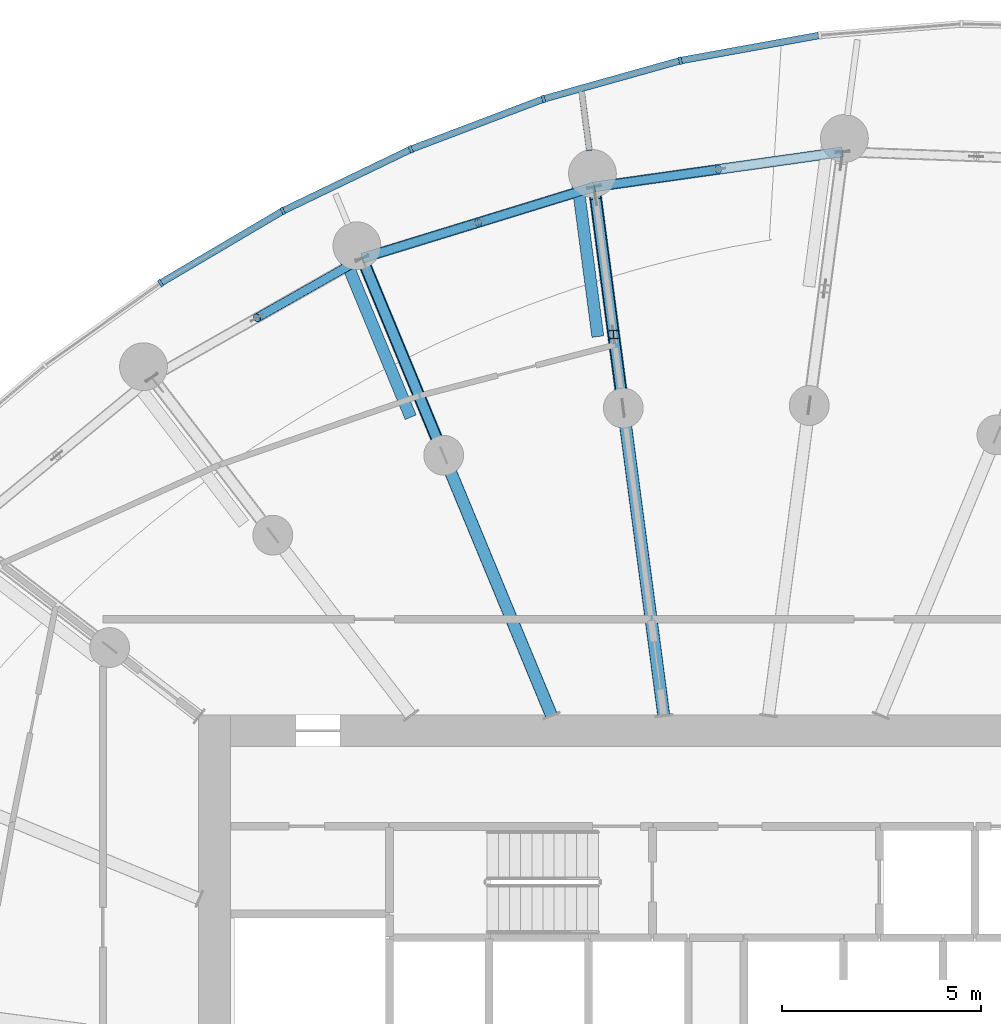
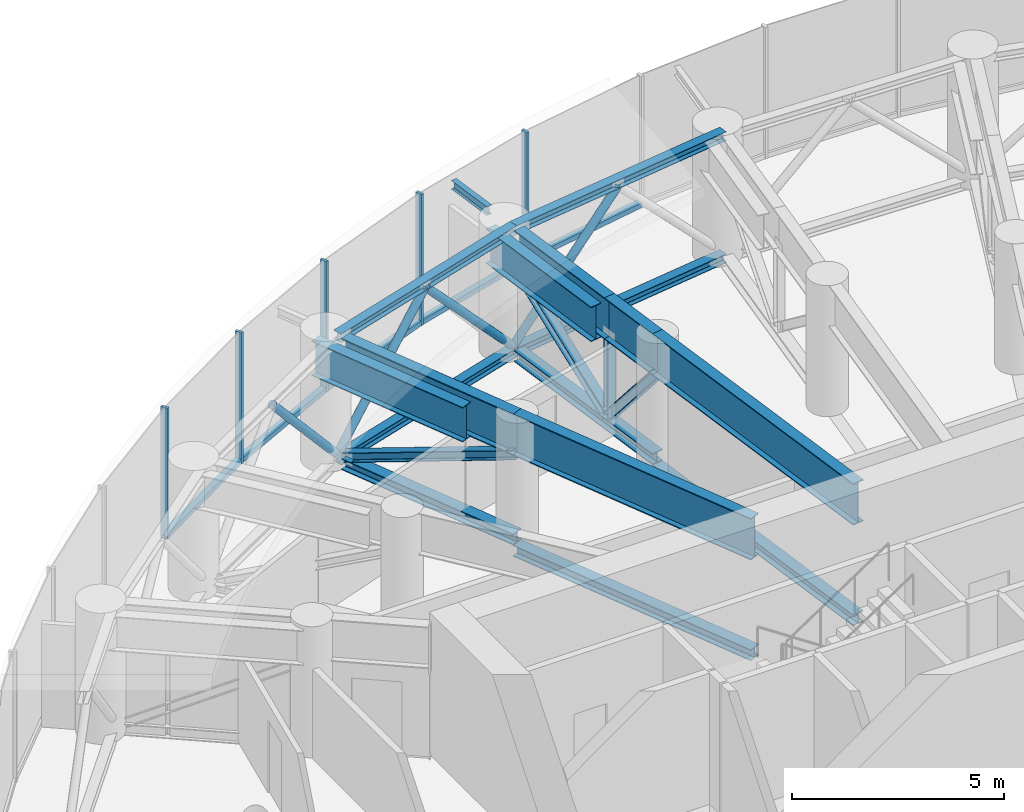
# One storey, part 9 of 33: 26 members, 8 beams, 2 elements without a shape of their own.
"""IFC4 building model written with IfcOpenShell, lengths in metres."""

from ifc_helpers import new_model, si_unit, direction, frame, origin, origin_2d, place, context, subcontext, project, spatial, rectangle, hollow_circle, i_section, extrude, source, transform, mapped, material, layer, layer_set, material_profile, profile_set, type_object, element, aggregate, save


model = new_model("IFC4")

# Units and contexts
model_context = context("Model", 3, precision=1e-05, world=origin(), true_north=direction((0.0, 1.0)))
body_context = subcontext(model_context, "Body", "Model", "MODEL_VIEW")
ifc_project = project(units=[si_unit("LENGTHUNIT", "METRE"), si_unit("AREAUNIT", "SQUARE_METRE"), si_unit("VOLUMEUNIT", "CUBIC_METRE"), si_unit("PLANEANGLEUNIT", "RADIAN"), si_unit("MASSUNIT", "GRAM", prefix="KILO")], contexts=[model_context])

# Site, building, storey
site_placement = place(None, origin())
site = spatial("IfcSite", under=ifc_project, at=site_placement, CompositionType="ELEMENT")
building_placement = place(site_placement, origin())
building = spatial("IfcBuilding", under=site, at=building_placement, Name="Spindrift Exchange Tower", CompositionType="ELEMENT")
storey_placement = place(building_placement, frame((0.0, 0.0, 129.0)))
storey = spatial("IfcBuildingStorey", under=building, at=storey_placement, Name="L30", CompositionType="ELEMENT", Elevation=129.0)

# Beams
ifc_material_1 = material(Name="Steel Grade 300", Category="steel")
ifc_material_profile_1 = material_profile(ifc_material_1, i_section(OverallWidth=0.14599609375, OverallDepth=0.251953125, WebThickness=0.006103515625, FlangeThickness=0.008544921875, FilletRadius=0.011962890625, at=origin_2d()), Name="250UB31.4")
ifc_profile_set_1 = profile_set([ifc_material_profile_1], Name="Steel Grade 300")
beam_type_1 = type_object("IfcBeamType", Name="Cantilever Beam 250UB31.4 Steel Grade 300", PredefinedType="BEAM", material=ifc_profile_set_1)
shared_shape_1 = source(origin(), body_context, "Body", "SweptSolid", [
    extrude(i_section(OverallWidth=0.14599609375, OverallDepth=0.251953125, WebThickness=0.006103515625, FlangeThickness=0.008544921875, FilletRadius=0.011962890625, at=origin_2d()), origin(), (0.0, 0.0, 1.0), 1.37744140625),
])
beam_1_placement = place(storey_placement, frame((48.81787109375, 72.17041015625, 3.654052734375), z_axis=(-0.130445343131, 0.991455502005, 0.0), x_axis=(-0.991455502005, -0.130445343131, 0.0)))
element("IfcBeam", 1, at=beam_1_placement, inside=storey, type_object=beam_type_1, Name="L30 cantilever beam R07T", PredefinedType="BEAM", context=body_context, shape_type="MappedRepresentation", body=[
    mapped(shared_shape_1, transform((0.0, 0.0, 0.0), scale=1.0)),
])
ifc_material_profile_2 = material_profile(ifc_material_1, i_section(OverallWidth=0.300048828125, OverallDepth=1.199951171875, WebThickness=0.011962890625, FlangeThickness=0.028076171875, at=origin_2d()), Name="1200WB249")
ifc_profile_set_2 = profile_set([ifc_material_profile_2], Name="Steel Grade 300")
beam_type_2 = type_object("IfcBeamType", Name="Outrigger Truss Transfer Girder 1200WB249 Steel Grade 300", PredefinedType="BEAM", material=ifc_profile_set_2)
shared_shape_2 = source(origin(), body_context, "Body", "SweptSolid", [
    extrude(i_section(OverallWidth=0.300048828125, OverallDepth=1.199951171875, WebThickness=0.011962890625, FlangeThickness=0.028076171875, at=origin_2d()), origin(), (0.0, 0.0, 1.0), 7.78955078125),
])
beam_2_placement = place(storey_placement, frame((50.68603515625, 57.980224609375, 3.179931640625), z_axis=(-0.130539641282, 0.991443090678, 0.0), x_axis=(-0.991443090678, -0.130539641282, 0.0)))
element("IfcBeam", 2, at=beam_2_placement, inside=storey, type_object=beam_type_2, Name="L30 outrigger truss 07 top chord 1", PredefinedType="BEAM", context=body_context, shape_type="MappedRepresentation", body=[
    mapped(shared_shape_2, transform((0.0, 0.0, 0.0), scale=1.0)),
])
shared_shape_3 = source(origin(), body_context, "Body", "SweptSolid", [
    extrude(i_section(OverallWidth=0.300048828125, OverallDepth=1.199951171875, WebThickness=0.011962890625, FlangeThickness=0.028076171875, at=origin_2d()), origin(), (0.0, 0.0, 1.0), 7.07470703125),
])
beam_3_placement = place(storey_placement, frame((47.865478515625, 57.9814453125, 3.179931640625), z_axis=(-0.382673844804, 0.923883503751, 0.0), x_axis=(-0.923883503751, -0.382673844804, 0.0)))
element("IfcBeam", 3, at=beam_3_placement, inside=storey, type_object=beam_type_2, Name="L30 outrigger truss 08 top chord 1", PredefinedType="BEAM", context=body_context, shape_type="MappedRepresentation", body=[
    mapped(shared_shape_3, transform((0.0, 0.0, 0.0), scale=1.0)),
])

# Members
ifc_material_profile_3 = material_profile(ifc_material_1, i_section(OverallWidth=0.202880859375, OverallDepth=0.202880859375, WebThickness=0.00732421875, FlangeThickness=0.010986328125, FilletRadius=0.012939453125, at=origin_2d()), Name="200UC46.2")
ifc_profile_set_3 = profile_set([ifc_material_profile_3], Name="Steel Grade 300")
member_type_1 = type_object("IfcMemberType", Name="Outrigger Truss Post 200UC46.2 Steel Grade 300", PredefinedType="POST", material=ifc_profile_set_3)
shared_shape_4 = source(origin(), body_context, "Body", "SweptSolid", [
    extrude(i_section(OverallWidth=0.202880859375, OverallDepth=0.202880859375, WebThickness=0.00732421875, FlangeThickness=0.010986328125, FilletRadius=0.012939453125, at=origin_2d()), origin(), (0.0, 0.0, 1.0), 2.259033203125),
])
member_1_placement = place(storey_placement, frame((49.426025390625, 67.55126953125, 0.321044921875), z_axis=(0.0, 0.0, 1.0), x_axis=(1.0, 0.0, 0.0)))
element("IfcMember", 4, at=member_1_placement, inside=storey, type_object=member_type_1, Name="L30 outrigger truss 07 post 2", PredefinedType="POST", context=body_context, shape_type="MappedRepresentation", body=[
    mapped(shared_shape_4, transform((0.0, 0.0, 0.0), scale=1.0)),
])
ifc_material_profile_4 = material_profile(ifc_material_1, i_section(OverallWidth=0.30908203125, OverallDepth=0.321044921875, WebThickness=0.013916015625, FlangeThickness=0.021728515625, FilletRadius=0.0166015625, at=origin_2d()), Name="310UC137")
ifc_profile_set_4 = profile_set([ifc_material_profile_4], Name="Steel Grade 300")
member_type_2 = type_object("IfcMemberType", Name="Outrigger Truss Chord 310UC137 Steel Grade 300", PredefinedType="CHORD", material=ifc_profile_set_4)
shared_shape_5 = source(origin(), body_context, "Body", "SweptSolid", [
    extrude(i_section(OverallWidth=0.30908203125, OverallDepth=0.321044921875, WebThickness=0.013916015625, FlangeThickness=0.021728515625, FilletRadius=0.0166015625, at=origin_2d()), origin(), (0.0, 0.0, 1.0), 7.78955078125),
])
member_2_placement = place(storey_placement, frame((50.68603515625, 57.980224609375, -0.160400390625), z_axis=(-0.130539641282, 0.991443090678, 0.0), x_axis=(-0.991443090678, -0.130539641282, 0.0)))
element("IfcMember", 5, at=member_2_placement, inside=storey, type_object=member_type_2, Name="L30 outrigger truss 07 bottom chord 1", PredefinedType="CHORD", context=body_context, shape_type="MappedRepresentation", body=[
    mapped(shared_shape_5, transform((0.0, 0.0, 0.0), scale=1.0)),
])

# Beam
shared_shape_6 = source(origin(), body_context, "Body", "SweptSolid", [
    extrude(i_section(OverallWidth=0.300048828125, OverallDepth=1.199951171875, WebThickness=0.011962890625, FlangeThickness=0.028076171875, at=origin_2d()), origin(), (0.0, 0.0, 1.0), 1.864013671875),
])
beam_4_placement = place(storey_placement, frame((49.669189453125, 65.703125, 3.179931640625), z_axis=(-0.130447736637, 0.991455187089, 0.0), x_axis=(-0.991455187089, -0.130447736637, 0.0)))
element("IfcBeam", 6, at=beam_4_placement, inside=storey, type_object=beam_type_2, Name="L30 outrigger truss 07 top chord 2", PredefinedType="BEAM", context=body_context, shape_type="MappedRepresentation", body=[
    mapped(shared_shape_6, transform((0.0, 0.0, 0.0), scale=1.0)),
])

# Members
shared_shape_7 = source(origin(), body_context, "Body", "SweptSolid", [
    extrude(i_section(OverallWidth=0.30908203125, OverallDepth=0.321044921875, WebThickness=0.013916015625, FlangeThickness=0.021728515625, FilletRadius=0.0166015625, at=origin_2d()), origin(), (0.0, 0.0, 1.0), 5.36328125),
])
member_3_placement = place(storey_placement, frame((49.669189453125, 65.703125, 0.160400390625), z_axis=(-0.130508678946, 0.991447166883, 0.0), x_axis=(-0.991447166883, -0.130508678946, 0.0)))
element("IfcMember", 7, at=member_3_placement, inside=storey, type_object=member_type_2, Name="L30 outrigger truss 07 bottom chord 2", PredefinedType="CHORD", context=body_context, shape_type="MappedRepresentation", body=[
    mapped(shared_shape_7, transform((0.0, 0.0, 0.0), scale=1.0)),
])
ifc_material_profile_5 = material_profile(ifc_material_1, i_section(OverallWidth=0.25390625, OverallDepth=0.25390625, WebThickness=0.008544921875, FlangeThickness=0.01416015625, FilletRadius=0.011962890625, at=origin_2d()), Name="250UC72.9")
ifc_profile_set_5 = profile_set([ifc_material_profile_5], Name="Steel Grade 300")
member_type_3 = type_object("IfcMemberType", Name="Outrigger Truss Diagonal 250UC72.9 Steel Grade 300", PredefinedType="BRACE", material=ifc_profile_set_5)
shared_shape_8 = source(origin(), body_context, "Body", "SweptSolid", [
    extrude(i_section(OverallWidth=0.25390625, OverallDepth=0.25390625, WebThickness=0.008544921875, FlangeThickness=0.01416015625, FilletRadius=0.011962890625, at=origin_2d()), origin(), (0.0, 0.0, 1.0), 2.9287109375),
])
member_4_placement = place(storey_placement, frame((49.669189453125, 65.703125, 2.580078125), z_axis=(-0.083024529012, 0.631019763673, -0.771311211792), x_axis=(-0.991455187089, -0.130447736637, 0.0)))
element("IfcMember", 8, at=member_4_placement, inside=storey, type_object=member_type_3, Name="L30 outrigger truss 07 diagonal 2", PredefinedType="BRACE", context=body_context, shape_type="MappedRepresentation", body=[
    mapped(shared_shape_8, transform((0.0, 0.0, 0.0), scale=1.0)),
])

# Beam
shared_shape_9 = source(origin(), body_context, "Body", "SweptSolid", [
    extrude(i_section(OverallWidth=0.300048828125, OverallDepth=1.199951171875, WebThickness=0.011962890625, FlangeThickness=0.028076171875, at=origin_2d()), origin(), (0.0, 0.0, 1.0), 3.499267578125),
])
beam_5_placement = place(storey_placement, frame((49.426025390625, 67.55126953125, 3.179931640625), z_axis=(-0.130541143739, 0.991442892854, 0.0), x_axis=(-0.991442892854, -0.130541143739, 0.0)))
element("IfcBeam", 9, at=beam_5_placement, inside=storey, type_object=beam_type_2, Name="L30 outrigger truss 07 top chord 3", PredefinedType="BEAM", context=body_context, shape_type="MappedRepresentation", body=[
    mapped(shared_shape_9, transform((0.0, 0.0, 0.0), scale=1.0)),
])

# Members
shared_shape_10 = source(origin(), body_context, "Body", "SweptSolid", [
    extrude(i_section(OverallWidth=0.25390625, OverallDepth=0.25390625, WebThickness=0.008544921875, FlangeThickness=0.01416015625, FilletRadius=0.011962890625, at=origin_2d()), origin(), (0.0, 0.0, 1.0), 4.1650390625),
])
member_5_placement = place(storey_placement, frame((49.426025390625, 67.55126953125, 0.321044921875), z_axis=(-0.109671906926, 0.832943772003, 0.542380627892), x_axis=(-0.991442892854, -0.130541143739, 0.0)))
element("IfcMember", 10, at=member_5_placement, inside=storey, type_object=member_type_3, Name="L30 outrigger truss 07 diagonal 3", PredefinedType="BRACE", context=body_context, shape_type="MappedRepresentation", body=[
    mapped(shared_shape_10, transform((0.0, 0.0, 0.0), scale=1.0)),
])
shared_shape_11 = source(origin(), body_context, "Body", "SweptSolid", [
    extrude(i_section(OverallWidth=0.30908203125, OverallDepth=0.321044921875, WebThickness=0.013916015625, FlangeThickness=0.021728515625, FilletRadius=0.0166015625, at=origin_2d()), origin(), (0.0, 0.0, 1.0), 7.07470703125),
])
member_6_placement = place(storey_placement, frame((47.865478515625, 57.9814453125, -0.160400390625), z_axis=(-0.382673844804, 0.923883503751, 0.0), x_axis=(-0.923883503751, -0.382673844804, 0.0)))
element("IfcMember", 11, at=member_6_placement, inside=storey, type_object=member_type_2, Name="L30 outrigger truss 08 bottom chord 1", PredefinedType="CHORD", context=body_context, shape_type="MappedRepresentation", body=[
    mapped(shared_shape_11, transform((0.0, 0.0, 0.0), scale=1.0)),
])

# Beam
shared_shape_12 = source(origin(), body_context, "Body", "SweptSolid", [
    extrude(i_section(OverallWidth=0.300048828125, OverallDepth=1.199951171875, WebThickness=0.011962890625, FlangeThickness=0.028076171875, at=origin_2d()), origin(), (0.0, 0.0, 1.0), 5.116455078125),
])
beam_6_placement = place(storey_placement, frame((45.158203125, 64.517578125, 3.179931640625), z_axis=(-0.382683310397, 0.923879583032, 0.0), x_axis=(-0.923879583032, -0.382683310397, 0.0)))
element("IfcBeam", 12, at=beam_6_placement, inside=storey, type_object=beam_type_2, Name="L30 outrigger truss 08 top chord 2", PredefinedType="BEAM", context=body_context, shape_type="MappedRepresentation", body=[
    mapped(shared_shape_12, transform((0.0, 0.0, 0.0), scale=1.0)),
])

# Members
shared_shape_13 = source(origin(), body_context, "Body", "SweptSolid", [
    extrude(i_section(OverallWidth=0.30908203125, OverallDepth=0.321044921875, WebThickness=0.013916015625, FlangeThickness=0.021728515625, FilletRadius=0.0166015625, at=origin_2d()), origin(), (0.0, 0.0, 1.0), 5.116455078125),
])
member_7_placement = place(storey_placement, frame((45.158203125, 64.517578125, 0.160400390625), z_axis=(-0.382683310397, 0.923879583032, 0.0), x_axis=(-0.923879583032, -0.382683310397, 0.0)))
element("IfcMember", 13, at=member_7_placement, inside=storey, type_object=member_type_2, Name="L30 outrigger truss 08 bottom chord 2", PredefinedType="CHORD", context=body_context, shape_type="MappedRepresentation", body=[
    mapped(shared_shape_13, transform((0.0, 0.0, 0.0), scale=1.0)),
])
shared_shape_14 = source(origin(), body_context, "Body", "SweptSolid", [
    extrude(i_section(OverallWidth=0.25390625, OverallDepth=0.25390625, WebThickness=0.008544921875, FlangeThickness=0.01416015625, FilletRadius=0.011962890625, at=origin_2d()), origin(), (0.0, 0.0, 1.0), 5.593017578125),
])
member_8_placement = place(storey_placement, frame((45.158203125, 64.517578125, 2.580078125), z_axis=(-0.350079696358, 0.845167466445, -0.403901175861), x_axis=(-0.923879583032, -0.382683310397, 0.0)))
element("IfcMember", 14, at=member_8_placement, inside=storey, type_object=member_type_3, Name="L30 outrigger truss 08 diagonal 2", PredefinedType="BRACE", context=body_context, shape_type="MappedRepresentation", body=[
    mapped(shared_shape_14, transform((0.0, 0.0, 0.0), scale=1.0)),
])
ifc_material_profile_6 = material_profile(ifc_material_1, i_section(OverallWidth=0.25390625, OverallDepth=0.25390625, WebThickness=0.008544921875, FlangeThickness=0.01416015625, FilletRadius=0.011962890625, at=origin_2d()), Name="250UC72.9")
ifc_profile_set_6 = profile_set([ifc_material_profile_6], Name="Steel Grade 300")
member_type_4 = type_object("IfcMemberType", Name="Belt Truss Chord 250UC72.9 Steel Grade 300", PredefinedType="CHORD", material=ifc_profile_set_6)
shared_shape_15 = source(origin(), body_context, "Body", "SweptSolid", [
    extrude(i_section(OverallWidth=0.25390625, OverallDepth=0.25390625, WebThickness=0.008544921875, FlangeThickness=0.01416015625, FilletRadius=0.011962890625, at=origin_2d()), origin(), (0.0, 0.0, 1.0), 6.302001953125),
])
for number, where, z_axis, x_axis, name in (
    (15, (55.177978515625, 72.1396484375, 3.653076171875), (-0.990172173679, -0.139853732422, 0.0), (0.139853732422, -0.990172173679, 0.0), "L30 belt truss 06 top chord"),
    (16, (55.177978515625, 72.1396484375, 0.126953125), (-0.990172173679, -0.139853732422, 0.0), (0.139853732422, -0.990172173679, 0.0), "L30 belt truss 06 bottom chord"),
):
    element("IfcMember", number, at=place(storey_placement, frame(where, z_axis=z_axis, x_axis=x_axis)), inside=storey, type_object=member_type_4, Name=name, PredefinedType="CHORD", context=body_context, shape_type="MappedRepresentation", body=[
        mapped(shared_shape_15, transform((0.0, 0.0, 0.0), scale=1.0)),
    ])
ifc_material_2 = material(Name="Steel Grade 350", Category="steel")
ifc_material_profile_7 = material_profile(ifc_material_2, hollow_circle(Radius=0.109619140625, WallThickness=0.006103515625, at=origin_2d()), Name="219.1x6.0CHS")
ifc_profile_set_7 = profile_set([ifc_material_profile_7], Name="Steel Grade 350")
member_type_5 = type_object("IfcMemberType", Name="Belt Truss Diagonal 219.1x6.0CHS Steel Grade 350", PredefinedType="BRACE", material=ifc_profile_set_7)
shared_shape_16 = source(origin(), body_context, "Body", "SweptSolid", [
    extrude(hollow_circle(Radius=0.109619140625, WallThickness=0.006103515625, at=origin_2d()), origin(), (0.0, 0.0, 1.0), 4.54248046875),
])
member_9_placement = place(storey_placement, frame((52.05810546875, 71.698974609375, 3.52587890625), z_axis=(-0.686858542342, -0.097009363766, -0.720287807861), x_axis=(0.139848367849, -0.990172931366, 0.0)))
element("IfcMember", 17, at=member_9_placement, inside=storey, type_object=member_type_5, Name="L30 belt truss 06 diagonal 2", PredefinedType="BRACE", context=body_context, shape_type="MappedRepresentation", body=[
    mapped(shared_shape_16, transform((0.0, 0.0, 0.0), scale=1.0)),
])
shared_shape_17 = source(origin(), body_context, "Body", "SweptSolid", [
    extrude(i_section(OverallWidth=0.25390625, OverallDepth=0.25390625, WebThickness=0.008544921875, FlangeThickness=0.01416015625, FilletRadius=0.011962890625, at=origin_2d()), origin(), (0.0, 0.0, 1.0), 6.098876953125),
])
for number, where, z_axis, x_axis, name in (
    (18, (48.93798828125, 71.25830078125, 3.653076171875), (-0.955858602783, -0.293827043489, 0.0), (0.293827043489, -0.955858602783, 0.0), "L30 belt truss 07 top chord"),
    (19, (48.93798828125, 71.25830078125, 0.126953125), (-0.955858602783, -0.293827043489, 0.0), (0.293827043489, -0.955858602783, 0.0), "L30 belt truss 07 bottom chord"),
):
    element("IfcMember", number, at=place(storey_placement, frame(where, z_axis=z_axis, x_axis=x_axis)), inside=storey, type_object=member_type_4, Name=name, PredefinedType="CHORD", context=body_context, shape_type="MappedRepresentation", body=[
        mapped(shared_shape_17, transform((0.0, 0.0, 0.0), scale=1.0)),
    ])
shared_shape_18 = source(origin(), body_context, "Body", "SweptSolid", [
    extrude(hollow_circle(Radius=0.109619140625, WallThickness=0.006103515625, at=origin_2d()), origin(), (0.0, 0.0, 1.0), 4.47265625),
])
for number, where, z_axis, x_axis, name in (
    (20, (48.93798828125, 71.25830078125, 0.25390625), (-0.65169230964, -0.200327563144, 0.731550409063), (0.293827043489, -0.955858602783, 0.0), "L30 belt truss 07 diagonal 1"),
    (21, (46.023193359375, 70.3623046875, 3.52587890625), (-0.65169230964, -0.200327563144, -0.731550409063), (0.293827043489, -0.955858602783, 0.0), "L30 belt truss 07 diagonal 2"),
):
    element("IfcMember", number, at=place(storey_placement, frame(where, z_axis=z_axis, x_axis=x_axis)), inside=storey, type_object=member_type_5, Name=name, PredefinedType="BRACE", context=body_context, shape_type="MappedRepresentation", body=[
        mapped(shared_shape_18, transform((0.0, 0.0, 0.0), scale=1.0)),
    ])
shared_shape_19 = source(origin(), body_context, "Body", "SweptSolid", [
    extrude(hollow_circle(Radius=0.109619140625, WallThickness=0.006103515625, at=origin_2d()), origin(), (0.0, 0.0, 1.0), 4.463623046875),
])
member_10_placement = place(storey_placement, frame((43.1083984375, 69.46630859375, 0.25390625), z_axis=(-0.591846723799, -0.335275891035, 0.733012641378), x_axis=(0.492896927144, -0.87008770777, 0.0)))
element("IfcMember", 22, at=member_10_placement, inside=storey, type_object=member_type_5, Name="L30 belt truss 08 diagonal 1", PredefinedType="BRACE", context=body_context, shape_type="MappedRepresentation", body=[
    mapped(shared_shape_19, transform((0.0, 0.0, 0.0), scale=1.0)),
])

# Beams
ifc_material_profile_8 = material_profile(ifc_material_1, i_section(OverallWidth=0.300048828125, OverallDepth=1.0, WebThickness=0.010009765625, FlangeThickness=0.02001953125, at=origin_2d()), Name="1000WB215")
ifc_profile_set_8 = profile_set([ifc_material_profile_8], Name="Steel Grade 300")
beam_type_3 = type_object("IfcBeamType", Name="Transfer Tie Beam 1000WB215 Steel Grade 300", PredefinedType="BEAM", material=ifc_profile_set_8)
shared_shape_20 = source(origin(), body_context, "Body", "SweptSolid", [
    extrude(i_section(OverallWidth=0.300048828125, OverallDepth=1.0, WebThickness=0.010009765625, FlangeThickness=0.02001953125, at=origin_2d()), origin(), (0.0, 0.0, 1.0), 4.0791015625),
])
beam_7_placement = place(storey_placement, frame((48.4970703125, 71.543212890625, 3.179931640625), z_axis=(0.130477736319, -0.99145123951, 0.0), x_axis=(0.99145123951, 0.130477736319, 0.0)))
element("IfcBeam", 23, at=beam_7_placement, inside=storey, type_object=beam_type_3, Name="L30 transfer tie beam K07", PredefinedType="BEAM", context=body_context, shape_type="MappedRepresentation", body=[
    mapped(shared_shape_20, transform((0.0, 0.0, 0.0), scale=1.0)),
])
shared_shape_21 = source(origin(), body_context, "Body", "SweptSolid", [
    extrude(i_section(OverallWidth=0.300048828125, OverallDepth=1.0, WebThickness=0.010009765625, FlangeThickness=0.02001953125, at=origin_2d()), origin(), (0.0, 0.0, 1.0), 4.4970703125),
])
beam_8_placement = place(storey_placement, frame((42.608642578125, 69.62744140625, 3.179931640625), z_axis=(0.382679428542, -0.923881190939, 0.0), x_axis=(0.923881190939, 0.382679428542, 0.0)))
element("IfcBeam", 24, at=beam_8_placement, inside=storey, type_object=beam_type_3, Name="L30 transfer tie beam K08", PredefinedType="BEAM", context=body_context, shape_type="MappedRepresentation", body=[
    mapped(shared_shape_21, transform((0.0, 0.0, 0.0), scale=1.0)),
])

# Curtain wall, member
ifc_material_3 = material(Name="Fritted laminated glass with bronze frame", Category="glass")
ifc_layer = layer(ifc_material_3, 0.18994140625)
ifc_layer_set = layer_set([ifc_layer], Name="ZONE 2 BRONZE FRITTED WALL")
curtain_wall_type = type_object("IfcCurtainWallType", Name="ZONE 2 BRONZE FRITTED WALL", PredefinedType="NOTDEFINED", material=ifc_layer_set)
curtain_wall_1_placement = place(storey_placement, origin())
curtain_wall_1 = element("IfcCurtainWall", 25, at=curtain_wall_1_placement, inside=storey, type_object=curtain_wall_type, Name="L30 Zone 2 Bronze Fritted Wall run 2", PredefinedType="NOTDEFINED")
ifc_material_4 = material(Name="Bronze anodised aluminium", Category="aluminium")
ifc_material_profile_9 = material_profile(ifc_material_4, rectangle(XDim=0.169921875, YDim=0.139892578125, at=origin_2d()), Name="ZONE 2 BRONZE FRITTED WALL TRANSOM 170X140")
ifc_profile_set_9 = profile_set([ifc_material_profile_9], Name="Bronze anodised aluminium")
member_type_6 = type_object("IfcMemberType", Name="ZONE 2 BRONZE FRITTED WALL TRANSOM 170X140", PredefinedType="USERDEFINED", material=ifc_profile_set_9)
shared_shape_22 = source(origin(), body_context, "Body", "SweptSolid", [
    extrude(rectangle(XDim=0.169921875, YDim=0.139892578125, at=origin_2d()), origin(), (0.0, 0.0, 1.0), 3.49169921875),
])
member_11_placement = place(storey_placement, frame((44.29736328125, 72.18603515625, 0.070068359375), z_axis=(-0.901011791818, -0.433794595409, 0.0), x_axis=(0.433794595409, -0.901011791818, 0.0)))
member_11 = element("IfcMember", 26, at=member_11_placement, type_object=member_type_6, Name="L30 transom CW-2.12", ObjectType="TRANSOM", PredefinedType="USERDEFINED", context=body_context, shape_type="MappedRepresentation", body=[
    mapped(shared_shape_22, transform((0.0, 0.0, 0.0), scale=1.0)),
])

curtain_wall_2_placement = place(storey_placement, origin())
curtain_wall_2 = element("IfcCurtainWall", 27, at=curtain_wall_2_placement, inside=storey, type_object=curtain_wall_type, Name="L30 Zone 2 Bronze Fritted Wall run 3", PredefinedType="NOTDEFINED")
member_12_placement = place(storey_placement, frame((41.085205078125, 70.635986328125, 0.070068359375), z_axis=(-0.861081000693, -0.508467806499, 0.0), x_axis=(0.508467806499, -0.861081000693, 0.0)))
member_12 = element("IfcMember", 28, at=member_12_placement, type_object=member_type_6, Name="L30 transom CW-2.13", ObjectType="TRANSOM", PredefinedType="USERDEFINED", context=body_context, shape_type="MappedRepresentation", body=[
    mapped(shared_shape_22, transform((0.0, 0.0, 0.0), scale=1.0)),
])

# Member
shared_shape_23 = source(origin(), body_context, "Body", "SweptSolid", [
    extrude(rectangle(XDim=0.169921875, YDim=0.139892578125, at=origin_2d()), origin(), (0.0, 0.0, 1.0), 3.491455078125),
])
member_13_placement = place(storey_placement, frame((54.572021484375, 75.061279296875, 0.070068359375), z_axis=(-0.983859839187, -0.178940819366, 0.0), x_axis=(0.178940819366, -0.983859839187, 0.0)))
member_13 = element("IfcMember", 29, at=member_13_placement, type_object=member_type_6, Name="L30 transom CW-2.9", ObjectType="TRANSOM", PredefinedType="USERDEFINED", context=body_context, shape_type="MappedRepresentation", body=[
    mapped(shared_shape_23, transform((0.0, 0.0, 0.0), scale=1.0)),
])

member_14_placement = place(storey_placement, frame((51.06396484375, 74.419677734375, 0.070068359375), z_axis=(-0.962865915947, -0.269980050942, 0.0), x_axis=(0.269980050942, -0.962865915947, 0.0)))
member_14 = element("IfcMember", 30, at=member_14_placement, type_object=member_type_6, Name="L30 transom CW-2.10", ObjectType="TRANSOM", PredefinedType="USERDEFINED", context=body_context, shape_type="MappedRepresentation", body=[
    mapped(shared_shape_23, transform((0.0, 0.0, 0.0), scale=1.0)),
])

member_15_placement = place(storey_placement, frame((47.630859375, 73.45361328125, 0.070068359375), z_axis=(-0.935023908779, -0.354584672556, 0.0), x_axis=(0.354584672556, -0.935023908779, 0.0)))
member_15 = element("IfcMember", 31, at=member_15_placement, type_object=member_type_6, Name="L30 transom CW-2.11", ObjectType="TRANSOM", PredefinedType="USERDEFINED", context=body_context, shape_type="MappedRepresentation", body=[
    mapped(shared_shape_23, transform((0.0, 0.0, 0.0), scale=1.0)),
])

ifc_material_profile_10 = material_profile(ifc_material_4, rectangle(XDim=0.074951171875, YDim=0.18994140625, at=origin_2d()), Name="ZONE 2 BRONZE FRITTED WALL MULLION 75X190")
ifc_profile_set_10 = profile_set([ifc_material_profile_10], Name="Bronze anodised aluminium")
member_type_7 = type_object("IfcMemberType", Name="ZONE 2 BRONZE FRITTED WALL MULLION 75X190", PredefinedType="MULLION", material=ifc_profile_set_10)
shared_shape_24 = source(origin(), body_context, "Body", "SweptSolid", [
    extrude(rectangle(XDim=0.074951171875, YDim=0.18994140625, at=origin_2d()), origin(), (0.0, 0.0, 1.0), 3.780029296875),
])
member_16_placement = place(storey_placement, frame((51.10009765625, 74.4296875, 0.0), z_axis=(0.0, 0.0, 1.0), x_axis=(-0.974428536445, -0.224697635418, 0.0)))
member_16 = element("IfcMember", 32, at=member_16_placement, type_object=member_type_7, Name="L30 mullion CW-2.10", PredefinedType="MULLION", context=body_context, shape_type="MappedRepresentation", body=[
    mapped(shared_shape_24, transform((0.0, 0.0, 0.0), scale=1.0)),
])

member_17_placement = place(storey_placement, frame((47.666015625, 73.466796875, 0.0), z_axis=(0.0, 0.0, 1.0), x_axis=(-0.949888878193, -0.312587778207, 0.0)))
member_17 = element("IfcMember", 33, at=member_17_placement, type_object=member_type_7, Name="L30 mullion CW-2.11", PredefinedType="MULLION", context=body_context, shape_type="MappedRepresentation", body=[
    mapped(shared_shape_24, transform((0.0, 0.0, 0.0), scale=1.0)),
])

member_18_placement = place(storey_placement, frame((44.331298828125, 72.2021484375, 0.0), z_axis=(0.0, 0.0, 1.0), x_axis=(-0.91886851003, -0.394563887446, 0.0)))
member_18 = element("IfcMember", 34, at=member_18_placement, type_object=member_type_7, Name="L30 mullion CW-2.12", PredefinedType="MULLION", context=body_context, shape_type="MappedRepresentation", body=[
    mapped(shared_shape_24, transform((0.0, 0.0, 0.0), scale=1.0)),
])

aggregate(curtain_wall_1, [member_13, member_16, member_14, member_17, member_15, member_18, member_11])

member_19_placement = place(storey_placement, frame((41.11767578125, 70.655029296875, 0.0), z_axis=(0.0, 0.0, 1.0), x_axis=(-0.881851740842, -0.471526783094, 0.0)))
member_19 = element("IfcMember", 35, at=member_19_placement, type_object=member_type_7, Name="L30 mullion CW-2.13", PredefinedType="MULLION", context=body_context, shape_type="MappedRepresentation", body=[
    mapped(shared_shape_24, transform((0.0, 0.0, 0.0), scale=1.0)),
])

member_20_placement = place(storey_placement, frame((38.046142578125, 68.841552734375, 0.0), z_axis=(0.0, 0.0, 1.0), x_axis=(-0.838914052137, -0.544263918635, 0.0)))
member_20 = element("IfcMember", 36, at=member_20_placement, type_object=member_type_7, Name="L30 mullion CW-2.14", PredefinedType="MULLION", context=body_context, shape_type="MappedRepresentation", body=[
    mapped(shared_shape_24, transform((0.0, 0.0, 0.0), scale=1.0)),
])

aggregate(curtain_wall_2, [member_19, member_12, member_20])

save(model, "model.ifc")
